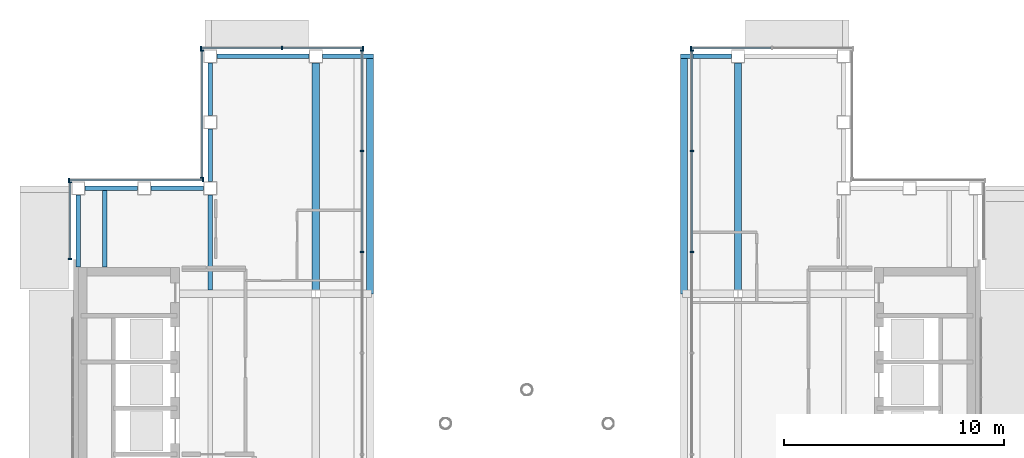
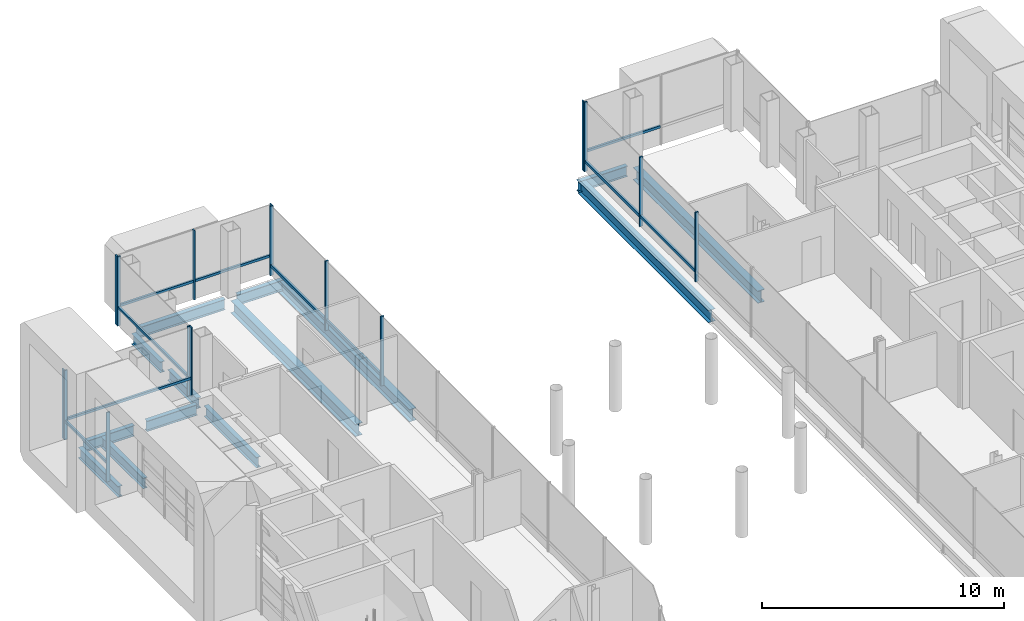
# One storey, part 7 of 21: 26 members, 14 beams, 7 elements without a shape of their own.
"""IFC4 building model written with IfcOpenShell, lengths in metres."""

from ifc_helpers import new_model, si_unit, direction, frame, origin, origin_2d, place, context, subcontext, project, spatial, rectangle, i_section, extrude, material, material_profile, profile_set, type_object, element, aggregate, save


model = new_model("IFC4")

# Units and contexts
model_context = context("Model", 3, precision=1e-05, world=origin(), true_north=direction((0.0, 1.0)))
body_context = subcontext(model_context, "Body", "Model", "MODEL_VIEW")
ifc_project = project(units=[si_unit("LENGTHUNIT", "METRE"), si_unit("AREAUNIT", "SQUARE_METRE"), si_unit("VOLUMEUNIT", "CUBIC_METRE"), si_unit("PLANEANGLEUNIT", "RADIAN"), si_unit("MASSUNIT", "GRAM", prefix="KILO")], contexts=[model_context])

# Site, building, storey
site_placement = place(None, origin())
site = spatial("IfcSite", under=ifc_project, at=site_placement, CompositionType="ELEMENT")
building_placement = place(site_placement, origin())
building = spatial("IfcBuilding", under=site, at=building_placement, Name="Cobrizo Arcos Hotel Tower", CompositionType="ELEMENT")
storey_placement = place(building_placement, frame((0.0, 0.0, 269.0)))
storey = spatial("IfcBuildingStorey", under=building, at=storey_placement, Name="L71", CompositionType="ELEMENT", Elevation=269.0)

# Curtain wall, member
ifc_material_1 = material(Name="Aluminium 6063-T6 anodised bronze", Category="aluminium")
curtain_wall_type_1 = type_object("IfcCurtainWallType", Name="CW-A guest facade", PredefinedType="NOTDEFINED", material=ifc_material_1)
curtain_wall_1_placement = place(storey_placement, origin())
curtain_wall_1 = element("IfcCurtainWall", 1, at=curtain_wall_1_placement, inside=storey, type_object=curtain_wall_type_1, Name="CW-A L71 N face", PredefinedType="NOTDEFINED")
ifc_material_profile_1 = material_profile(ifc_material_1, rectangle(XDim=0.14990234375, YDim=0.06005859375, at=origin_2d()), Name="CW-A mullion 150x60")
ifc_profile_set_1 = profile_set([ifc_material_profile_1], Name="Aluminium 6063-T6 anodised bronze")
member_type_1 = type_object("IfcMemberType", Name="CW-A mullion 150x60", PredefinedType="MULLION", material=ifc_profile_set_1)
member_1_placement = place(storey_placement, frame((7.4521484375, 20.77490234375, 0.0), z_axis=(0.0, 0.0, 1.0), x_axis=(0.0, 1.0, 0.0)))
member_1 = element("IfcMember", 2, at=member_1_placement, type_object=member_type_1, Name="CW-A mullion 3", PredefinedType="MULLION", context=body_context, shape_type="SweptSolid", body=[
    extrude(rectangle(XDim=0.14990234375, YDim=0.06005859375, at=origin_2d()), origin(), (0.0, 0.0, 1.0), 3.5),
])

# Curtain wall, members
curtain_wall_2_placement = place(storey_placement, origin())
curtain_wall_2 = element("IfcCurtainWall", 3, at=curtain_wall_2_placement, inside=storey, type_object=curtain_wall_type_1, Name="CW-A L71 N face", PredefinedType="NOTDEFINED")
member_2_placement = place(storey_placement, frame((-7.4521484375, 20.77490234375, 0.0), z_axis=(0.0, 0.0, 1.0), x_axis=(0.0, 1.0, 0.0)))
member_2 = element("IfcMember", 4, at=member_2_placement, type_object=member_type_1, Name="CW-A mullion 1", PredefinedType="MULLION", context=body_context, shape_type="SweptSolid", body=[
    extrude(rectangle(XDim=0.14990234375, YDim=0.06005859375, at=origin_2d()), origin(), (0.0, 0.0, 1.0), 3.5),
])
member_3_placement = place(storey_placement, frame((-11.135986328125, 20.77490234375, 0.0), z_axis=(0.0, 0.0, 1.0), x_axis=(0.0, 1.0, 0.0)))
member_3 = element("IfcMember", 5, at=member_3_placement, type_object=member_type_1, Name="CW-A mullion 2", PredefinedType="MULLION", context=body_context, shape_type="SweptSolid", body=[
    extrude(rectangle(XDim=0.14990234375, YDim=0.06005859375, at=origin_2d()), origin(), (0.0, 0.0, 1.0), 3.5),
])
member_4_placement = place(storey_placement, frame((-14.820068359375, 20.77490234375, 0.0), z_axis=(0.0, 0.0, 1.0), x_axis=(0.0, 1.0, 0.0)))
member_4 = element("IfcMember", 6, at=member_4_placement, type_object=member_type_1, Name="CW-A mullion 3", PredefinedType="MULLION", context=body_context, shape_type="SweptSolid", body=[
    extrude(rectangle(XDim=0.14990234375, YDim=0.06005859375, at=origin_2d()), origin(), (0.0, 0.0, 1.0), 3.5),
])

curtain_wall_3_placement = place(storey_placement, origin())
curtain_wall_3 = element("IfcCurtainWall", 7, at=curtain_wall_3_placement, inside=storey, type_object=curtain_wall_type_1, Name="CW-A L71 W face", PredefinedType="NOTDEFINED")
member_5_placement = place(storey_placement, frame((-14.77490234375, 20.669921875, 0.0), z_axis=(0.0, 0.0, 1.0), x_axis=(-1.0, 0.0, 0.0)))
member_5 = element("IfcMember", 8, at=member_5_placement, type_object=member_type_1, Name="CW-A mullion 1", PredefinedType="MULLION", context=body_context, shape_type="SweptSolid", body=[
    extrude(rectangle(XDim=0.14990234375, YDim=0.06005859375, at=origin_2d()), origin(), (0.0, 0.0, 1.0), 3.5),
])
member_6_placement = place(storey_placement, frame((-14.77490234375, 14.8798828125, 0.0), z_axis=(0.0, 0.0, 1.0), x_axis=(-1.0, 0.0, 0.0)))
member_6 = element("IfcMember", 9, at=member_6_placement, type_object=member_type_1, Name="CW-A mullion 2", PredefinedType="MULLION", context=body_context, shape_type="SweptSolid", body=[
    extrude(rectangle(XDim=0.14990234375, YDim=0.06005859375, at=origin_2d()), origin(), (0.0, 0.0, 1.0), 3.5),
])

curtain_wall_4_placement = place(storey_placement, origin())
curtain_wall_4 = element("IfcCurtainWall", 10, at=curtain_wall_4_placement, inside=storey, type_object=curtain_wall_type_1, Name="CW-A L71 N face", PredefinedType="NOTDEFINED")
member_7_placement = place(storey_placement, frame((-14.72998046875, 14.77490234375, 0.0), z_axis=(0.0, 0.0, 1.0), x_axis=(0.0, 1.0, 0.0)))
member_7 = element("IfcMember", 11, at=member_7_placement, type_object=member_type_1, Name="CW-A mullion 1", PredefinedType="MULLION", context=body_context, shape_type="SweptSolid", body=[
    extrude(rectangle(XDim=0.14990234375, YDim=0.06005859375, at=origin_2d()), origin(), (0.0, 0.0, 1.0), 3.5),
])
member_8_placement = place(storey_placement, frame((-20.820068359375, 14.77490234375, 0.0), z_axis=(0.0, 0.0, 1.0), x_axis=(0.0, 1.0, 0.0)))
member_8 = element("IfcMember", 12, at=member_8_placement, type_object=member_type_1, Name="CW-A mullion 2", PredefinedType="MULLION", context=body_context, shape_type="SweptSolid", body=[
    extrude(rectangle(XDim=0.14990234375, YDim=0.06005859375, at=origin_2d()), origin(), (0.0, 0.0, 1.0), 3.5),
])

curtain_wall_5_placement = place(storey_placement, origin())
curtain_wall_5 = element("IfcCurtainWall", 13, at=curtain_wall_5_placement, inside=storey, type_object=curtain_wall_type_1, Name="CW-A L71 W face", PredefinedType="NOTDEFINED")
member_9_placement = place(storey_placement, frame((-20.77490234375, 14.669921875, 0.0), z_axis=(0.0, 0.0, 1.0), x_axis=(-1.0, 0.0, 0.0)))
member_9 = element("IfcMember", 14, at=member_9_placement, type_object=member_type_1, Name="CW-A mullion 1", PredefinedType="MULLION", context=body_context, shape_type="SweptSolid", body=[
    extrude(rectangle(XDim=0.14990234375, YDim=0.06005859375, at=origin_2d()), origin(), (0.0, 0.0, 1.0), 3.5),
])
member_10_placement = place(storey_placement, frame((-20.77490234375, 11.179931640625, 0.0), z_axis=(0.0, 0.0, 1.0), x_axis=(-1.0, 0.0, 0.0)))
member_10 = element("IfcMember", 15, at=member_10_placement, type_object=member_type_1, Name="CW-A mullion 2", PredefinedType="MULLION", context=body_context, shape_type="SweptSolid", body=[
    extrude(rectangle(XDim=0.14990234375, YDim=0.06005859375, at=origin_2d()), origin(), (0.0, 0.0, 1.0), 3.5),
])

# Member
ifc_material_profile_2 = material_profile(ifc_material_1, rectangle(XDim=0.10009765625, YDim=0.1201171875, at=origin_2d()), Name="CW-A transom 120x100")
ifc_profile_set_2 = profile_set([ifc_material_profile_2], Name="Aluminium 6063-T6 anodised bronze")
member_type_2 = type_object("IfcMemberType", Name="CW-A transom 120x100", PredefinedType="USERDEFINED", material=ifc_profile_set_2)
member_11_placement = place(storey_placement, frame((11.10595703125, 20.77490234375, 0.929931640625), z_axis=(-1.0, 0.0, 0.0), x_axis=(0.0, -1.0, 0.0)))
member_11 = element("IfcMember", 16, at=member_11_placement, type_object=member_type_2, Name="CW-A transom 2219", ObjectType="TRANSOM", PredefinedType="USERDEFINED", context=body_context, shape_type="SweptSolid", body=[
    extrude(rectangle(XDim=0.10009765625, YDim=0.1201171875, at=origin_2d()), origin(), (0.0, 0.0, 1.0), 3.623779296875),
])

aggregate(curtain_wall_1, [member_1, member_11])

member_12_placement = place(storey_placement, frame((-7.482177734375, 20.77490234375, 0.929931640625), z_axis=(-1.0, 0.0, 0.0), x_axis=(0.0, -1.0, 0.0)))
member_12 = element("IfcMember", 17, at=member_12_placement, type_object=member_type_2, Name="CW-A transom 2248", ObjectType="TRANSOM", PredefinedType="USERDEFINED", context=body_context, shape_type="SweptSolid", body=[
    extrude(rectangle(XDim=0.10009765625, YDim=0.1201171875, at=origin_2d()), origin(), (0.0, 0.0, 1.0), 3.623779296875),
])

member_13_placement = place(storey_placement, frame((-11.166015625, 20.77490234375, 0.929931640625), z_axis=(-1.0, 0.0, 0.0), x_axis=(0.0, -1.0, 0.0)))
member_13 = element("IfcMember", 18, at=member_13_placement, type_object=member_type_2, Name="CW-A transom 2249", ObjectType="TRANSOM", PredefinedType="USERDEFINED", context=body_context, shape_type="SweptSolid", body=[
    extrude(rectangle(XDim=0.10009765625, YDim=0.1201171875, at=origin_2d()), origin(), (0.0, 0.0, 1.0), 3.6240234375),
])

aggregate(curtain_wall_2, [member_2, member_3, member_4, member_12, member_13])

member_14_placement = place(storey_placement, frame((-14.77490234375, 20.639892578125, 0.929931640625), z_axis=(0.0, -1.0, 0.0), x_axis=(1.0, 0.0, 0.0)))
member_14 = element("IfcMember", 19, at=member_14_placement, type_object=member_type_2, Name="CW-A transom 2250", ObjectType="TRANSOM", PredefinedType="USERDEFINED", context=body_context, shape_type="SweptSolid", body=[
    extrude(rectangle(XDim=0.10009765625, YDim=0.1201171875, at=origin_2d()), origin(), (0.0, 0.0, 1.0), 5.72998046875),
])

aggregate(curtain_wall_3, [member_5, member_6, member_14])

member_15_placement = place(storey_placement, frame((-14.760009765625, 14.77490234375, 0.929931640625), z_axis=(-1.0, 0.0, 0.0), x_axis=(0.0, -1.0, 0.0)))
member_15 = element("IfcMember", 20, at=member_15_placement, type_object=member_type_2, Name="CW-A transom 2251", ObjectType="TRANSOM", PredefinedType="USERDEFINED", context=body_context, shape_type="SweptSolid", body=[
    extrude(rectangle(XDim=0.10009765625, YDim=0.1201171875, at=origin_2d()), origin(), (0.0, 0.0, 1.0), 6.030029296875),
])

aggregate(curtain_wall_4, [member_7, member_8, member_15])

member_16_placement = place(storey_placement, frame((-20.77490234375, 14.639892578125, 0.929931640625), z_axis=(0.0, -1.0, 0.0), x_axis=(1.0, 0.0, 0.0)))
member_16 = element("IfcMember", 21, at=member_16_placement, type_object=member_type_2, Name="CW-A transom 2252", ObjectType="TRANSOM", PredefinedType="USERDEFINED", context=body_context, shape_type="SweptSolid", body=[
    extrude(rectangle(XDim=0.10009765625, YDim=0.1201171875, at=origin_2d()), origin(), (0.0, 0.0, 1.0), 3.429931640625),
])

aggregate(curtain_wall_5, [member_9, member_10, member_16])

# Curtain wall, members
curtain_wall_type_2 = type_object("IfcCurtainWallType", Name="CW-C arch infill and crown glazing", PredefinedType="NOTDEFINED", material=ifc_material_1)
curtain_wall_6_placement = place(storey_placement, origin())
curtain_wall_6 = element("IfcCurtainWall", 22, at=curtain_wall_6_placement, inside=storey, type_object=curtain_wall_type_2, Name="CW-C L71 W face", PredefinedType="NOTDEFINED")
ifc_material_profile_3 = material_profile(ifc_material_1, rectangle(XDim=0.14990234375, YDim=0.070068359375, at=origin_2d()), Name="CW-C mullion 150x70")
ifc_profile_set_3 = profile_set([ifc_material_profile_3], Name="Aluminium 6063-T6 anodised bronze")
member_type_3 = type_object("IfcMemberType", Name="CW-C mullion 150x70", PredefinedType="MULLION", material=ifc_profile_set_3)
member_17_placement = place(storey_placement, frame((7.4970703125, 20.6650390625, 0.0), z_axis=(0.0, 0.0, 1.0), x_axis=(-1.0, 0.0, 0.0)))
member_17 = element("IfcMember", 23, at=member_17_placement, type_object=member_type_3, Name="CW-C mullion 1", PredefinedType="MULLION", context=body_context, shape_type="SweptSolid", body=[
    extrude(rectangle(XDim=0.14990234375, YDim=0.070068359375, at=origin_2d()), origin(), (0.0, 0.0, 1.0), 3.5),
])
member_18_placement = place(storey_placement, frame((7.4970703125, 16.10009765625, 0.0), z_axis=(0.0, 0.0, 1.0), x_axis=(-1.0, 0.0, 0.0)))
member_18 = element("IfcMember", 24, at=member_18_placement, type_object=member_type_3, Name="CW-C mullion 2", PredefinedType="MULLION", context=body_context, shape_type="SweptSolid", body=[
    extrude(rectangle(XDim=0.14990234375, YDim=0.070068359375, at=origin_2d()), origin(), (0.0, 0.0, 1.0), 3.5),
])
member_19_placement = place(storey_placement, frame((7.4970703125, 11.5, 0.0), z_axis=(0.0, 0.0, 1.0), x_axis=(-1.0, 0.0, 0.0)))
member_19 = element("IfcMember", 25, at=member_19_placement, type_object=member_type_3, Name="CW-C mullion 3", PredefinedType="MULLION", context=body_context, shape_type="SweptSolid", body=[
    extrude(rectangle(XDim=0.14990234375, YDim=0.070068359375, at=origin_2d()), origin(), (0.0, 0.0, 1.0), 3.5),
])

curtain_wall_7_placement = place(storey_placement, origin())
curtain_wall_7 = element("IfcCurtainWall", 26, at=curtain_wall_7_placement, inside=storey, type_object=curtain_wall_type_2, Name="CW-C L71 E face", PredefinedType="NOTDEFINED")
member_20_placement = place(storey_placement, frame((-7.4970703125, 11.5, 0.0), z_axis=(0.0, 0.0, 1.0), x_axis=(1.0, 0.0, 0.0)))
member_20 = element("IfcMember", 27, at=member_20_placement, type_object=member_type_3, Name="CW-C mullion 8", PredefinedType="MULLION", context=body_context, shape_type="SweptSolid", body=[
    extrude(rectangle(XDim=0.14990234375, YDim=0.070068359375, at=origin_2d()), origin(), (0.0, 0.0, 1.0), 3.5),
])
member_21_placement = place(storey_placement, frame((-7.4970703125, 16.10009765625, 0.0), z_axis=(0.0, 0.0, 1.0), x_axis=(1.0, 0.0, 0.0)))
member_21 = element("IfcMember", 28, at=member_21_placement, type_object=member_type_3, Name="CW-C mullion 9", PredefinedType="MULLION", context=body_context, shape_type="SweptSolid", body=[
    extrude(rectangle(XDim=0.14990234375, YDim=0.070068359375, at=origin_2d()), origin(), (0.0, 0.0, 1.0), 3.5),
])
member_22_placement = place(storey_placement, frame((-7.4970703125, 20.6650390625, 0.0), z_axis=(0.0, 0.0, 1.0), x_axis=(1.0, 0.0, 0.0)))
member_22 = element("IfcMember", 29, at=member_22_placement, type_object=member_type_3, Name="CW-C mullion 10", PredefinedType="MULLION", context=body_context, shape_type="SweptSolid", body=[
    extrude(rectangle(XDim=0.14990234375, YDim=0.070068359375, at=origin_2d()), origin(), (0.0, 0.0, 1.0), 3.5),
])

# Member
ifc_material_profile_4 = material_profile(ifc_material_1, rectangle(XDim=0.10009765625, YDim=0.139892578125, at=origin_2d()), Name="CW-C transom 140x100")
ifc_profile_set_4 = profile_set([ifc_material_profile_4], Name="Aluminium 6063-T6 anodised bronze")
member_type_4 = type_object("IfcMemberType", Name="CW-C transom 140x100", PredefinedType="USERDEFINED", material=ifc_profile_set_4)
member_23_placement = place(storey_placement, frame((7.4970703125, 20.6298828125, 0.5), z_axis=(0.0, -1.0, 0.0), x_axis=(1.0, 0.0, 0.0)))
member_23 = element("IfcMember", 30, at=member_23_placement, type_object=member_type_4, Name="CW-C transom 2220", ObjectType="TRANSOM", PredefinedType="USERDEFINED", context=body_context, shape_type="SweptSolid", body=[
    extrude(rectangle(XDim=0.10009765625, YDim=0.139892578125, at=origin_2d()), origin(), (0.0, 0.0, 1.0), 4.494873046875),
])

member_24_placement = place(storey_placement, frame((7.4970703125, 16.06494140625, 0.5), z_axis=(0.0, -1.0, 0.0), x_axis=(1.0, 0.0, 0.0)))
member_24 = element("IfcMember", 31, at=member_24_placement, type_object=member_type_4, Name="CW-C transom 2221", ObjectType="TRANSOM", PredefinedType="USERDEFINED", context=body_context, shape_type="SweptSolid", body=[
    extrude(rectangle(XDim=0.10009765625, YDim=0.139892578125, at=origin_2d()), origin(), (0.0, 0.0, 1.0), 4.530029296875),
])

aggregate(curtain_wall_6, [member_17, member_18, member_19, member_23, member_24])

member_25_placement = place(storey_placement, frame((-7.4970703125, 11.534912109375, 0.5), z_axis=(0.0, 1.0, 0.0), x_axis=(-1.0, 0.0, 0.0)))
member_25 = element("IfcMember", 32, at=member_25_placement, type_object=member_type_4, Name="CW-C transom 2246", ObjectType="TRANSOM", PredefinedType="USERDEFINED", context=body_context, shape_type="SweptSolid", body=[
    extrude(rectangle(XDim=0.10009765625, YDim=0.139892578125, at=origin_2d()), origin(), (0.0, 0.0, 1.0), 4.530029296875),
])

member_26_placement = place(storey_placement, frame((-7.4970703125, 16.135009765625, 0.5), z_axis=(0.0, 1.0, 0.0), x_axis=(-1.0, 0.0, 0.0)))
member_26 = element("IfcMember", 33, at=member_26_placement, type_object=member_type_4, Name="CW-C transom 2247", ObjectType="TRANSOM", PredefinedType="USERDEFINED", context=body_context, shape_type="SweptSolid", body=[
    extrude(rectangle(XDim=0.10009765625, YDim=0.139892578125, at=origin_2d()), origin(), (0.0, 0.0, 1.0), 4.494873046875),
])

aggregate(curtain_wall_7, [member_20, member_21, member_22, member_25, member_26])

# Beams
ifc_material_2 = material(Name="Steel ASTM A992 Grade 50", Category="steel")
ifc_material_profile_5 = material_profile(ifc_material_2, i_section(OverallWidth=0.209228515625, OverallDepth=0.533447265625, WebThickness=0.01025390625, FlangeThickness=0.015625, at=origin_2d()), Name="W21X62")
ifc_profile_set_5 = profile_set([ifc_material_profile_5], Name="Steel ASTM A992 Grade 50")
beam_type_1 = type_object("IfcBeamType", Name="W21X62 joist", PredefinedType="JOIST", material=ifc_profile_set_5)
beam_1_placement = place(storey_placement, frame((-19.199951171875, 10.81005859375, -0.416748046875), z_axis=(0.0, 1.0, 0.0), x_axis=(-1.0, 0.0, 0.0)))
element("IfcBeam", 34, at=beam_1_placement, inside=storey, type_object=beam_type_1, Name="Floor joist J1, L71, no. 002", PredefinedType="JOIST", context=body_context, shape_type="SweptSolid", body=[
    extrude(i_section(OverallWidth=0.209228515625, OverallDepth=0.533447265625, WebThickness=0.01025390625, FlangeThickness=0.015625, at=origin_2d()), origin(), (0.0, 0.0, 1.0), 3.5),
])
beam_2_placement = place(storey_placement, frame((-14.39990234375, 9.763916015625, -0.416748046875), z_axis=(0.0, 1.0, 0.0), x_axis=(-1.0, 0.0, 0.0)))
element("IfcBeam", 35, at=beam_2_placement, inside=storey, type_object=beam_type_1, Name="Floor joist J1, L71, no. 006", PredefinedType="JOIST", context=body_context, shape_type="SweptSolid", body=[
    extrude(i_section(OverallWidth=0.209228515625, OverallDepth=0.533447265625, WebThickness=0.01025390625, FlangeThickness=0.015625, at=origin_2d()), origin(), (0.0, 0.0, 1.0), 4.336181640625),
])
ifc_material_profile_6 = material_profile(ifc_material_2, i_section(OverallWidth=0.209228515625, OverallDepth=0.533447265625, WebThickness=0.01025390625, FlangeThickness=0.015625, at=origin_2d()), Name="W21X62")
ifc_profile_set_6 = profile_set([ifc_material_profile_6], Name="Steel ASTM A992 Grade 50")
beam_type_2 = type_object("IfcBeamType", Name="W21X62 spandrel", PredefinedType="SPANDREL", material=ifc_profile_set_6)
beam_3_placement = place(storey_placement, frame((-20.39990234375, 10.81005859375, -0.416748046875), z_axis=(0.0, 1.0, 0.0), x_axis=(-1.0, 0.0, 0.0)))
element("IfcBeam", 36, at=beam_3_placement, inside=storey, type_object=beam_type_2, Name="Spandrel beam W21X62, L71, no. 002", PredefinedType="SPANDREL", context=body_context, shape_type="SweptSolid", body=[
    extrude(i_section(OverallWidth=0.209228515625, OverallDepth=0.533447265625, WebThickness=0.01025390625, FlangeThickness=0.015625, at=origin_2d()), origin(), (0.0, 0.0, 1.0), 3.2900390625),
])
for number, where, z_axis, x_axis, name in (
    (37, (-20.10009765625, 14.39990234375, -0.416748046875), (1.0, 0.0, 0.0), (0.0, 1.0, 0.0), "Spandrel beam W21X62, L71, no. 003"),
    (38, (-17.10009765625, 14.39990234375, -0.416748046875), (1.0, 0.0, 0.0), (0.0, 1.0, 0.0), "Spandrel beam W21X62, L71, no. 004"),
    (39, (-14.39990234375, 14.699951171875, -0.416748046875), (0.0, 1.0, 0.0), (-1.0, 0.0, 0.0), "Spandrel beam W21X62, L71, no. 005"),
    (40, (-14.39990234375, 17.699951171875, -0.416748046875), (0.0, 1.0, 0.0), (-1.0, 0.0, 0.0), "Spandrel beam W21X62, L71, no. 006"),
):
    element("IfcBeam", number, at=place(storey_placement, frame(where, z_axis=z_axis, x_axis=x_axis)), inside=storey, type_object=beam_type_2, Name=name, PredefinedType="SPANDREL", context=body_context, shape_type="SweptSolid", body=[
        extrude(i_section(OverallWidth=0.209228515625, OverallDepth=0.533447265625, WebThickness=0.01025390625, FlangeThickness=0.015625, at=origin_2d()), origin(), (0.0, 0.0, 1.0), 2.400146484375),
    ])
beam_4_placement = place(storey_placement, frame((-14.10009765625, 20.39990234375, -0.416748046875), z_axis=(1.0, 0.0, 0.0), x_axis=(0.0, 1.0, 0.0)))
element("IfcBeam", 41, at=beam_4_placement, inside=storey, type_object=beam_type_2, Name="Spandrel beam W21X62, L71, no. 007", PredefinedType="SPANDREL", context=body_context, shape_type="SweptSolid", body=[
    extrude(i_section(OverallWidth=0.209228515625, OverallDepth=0.533447265625, WebThickness=0.01025390625, FlangeThickness=0.015625, at=origin_2d()), origin(), (0.0, 0.0, 1.0), 4.2001953125),
])
for number, where, z_axis, x_axis, name in (
    (42, (-9.300048828125, 20.39990234375, -0.416748046875), (1.0, 0.0, 0.0), (0.0, 1.0, 0.0), "Spandrel beam W21X62, L71, no. 008"),
    (43, (6.97412109375, 20.39990234375, -0.416748046875), (1.0, 0.0, 0.0), (0.0, 1.0, 0.0), "Spandrel beam W21X62, L71, no. 015"),
):
    element("IfcBeam", number, at=place(storey_placement, frame(where, z_axis=z_axis, x_axis=x_axis)), inside=storey, type_object=beam_type_2, Name=name, PredefinedType="SPANDREL", context=body_context, shape_type="SweptSolid", body=[
        extrude(i_section(OverallWidth=0.209228515625, OverallDepth=0.533447265625, WebThickness=0.01025390625, FlangeThickness=0.015625, at=origin_2d()), origin(), (0.0, 0.0, 1.0), 2.325927734375),
    ])
ifc_material_profile_7 = material_profile(ifc_material_2, i_section(OverallWidth=0.32763671875, OverallDepth=0.622314453125, WebThickness=0.015380859375, FlangeThickness=0.0244140625, at=origin_2d()), Name="W24X131")
ifc_profile_set_7 = profile_set([ifc_material_profile_7], Name="Steel ASTM A992 Grade 50")
beam_type_3 = type_object("IfcBeamType", Name="W24X131 edge beam", PredefinedType="BEAM", material=ifc_profile_set_7)
for number, where, z_axis, x_axis, name in (
    (44, (-7.137939453125, 20.39990234375, -0.461181640625), (0.0, -1.0, 0.0), (1.0, 0.0, 0.0), "Edge beam EB1, L71, no. 001"),
    (45, (7.137939453125, 9.60009765625, -0.461181640625), (0.0, 1.0, 0.0), (-1.0, 0.0, 0.0), "Edge beam EB1, L71, no. 008"),
):
    element("IfcBeam", number, at=place(storey_placement, frame(where, z_axis=z_axis, x_axis=x_axis)), inside=storey, type_object=beam_type_3, Name=name, PredefinedType="BEAM", context=body_context, shape_type="SweptSolid", body=[
        extrude(i_section(OverallWidth=0.32763671875, OverallDepth=0.622314453125, WebThickness=0.015380859375, FlangeThickness=0.0244140625, at=origin_2d()), origin(), (0.0, 0.0, 1.0), 10.7998046875),
    ])
ifc_material_profile_8 = material_profile(ifc_material_2, i_section(OverallWidth=0.32763671875, OverallDepth=0.622314453125, WebThickness=0.015380859375, FlangeThickness=0.0244140625, at=origin_2d()), Name="W24X131")
ifc_profile_set_8 = profile_set([ifc_material_profile_8], Name="Steel ASTM A992 Grade 50")
beam_type_4 = type_object("IfcBeamType", Name="W24X131 girder", PredefinedType="BEAM", material=ifc_profile_set_8)
for number, where, z_axis, x_axis, name in (
    (46, (-9.60009765625, 9.7841796875, -0.461181640625), (0.0, 1.0, 0.0), (-1.0, 0.0, 0.0), "Floor girder G1, L71, no. 016"),
    (47, (9.60009765625, 9.7841796875, -0.461181640625), (0.0, 1.0, 0.0), (-1.0, 0.0, 0.0), "Floor girder G1, L71, no. 020"),
):
    element("IfcBeam", number, at=place(storey_placement, frame(where, z_axis=z_axis, x_axis=x_axis)), inside=storey, type_object=beam_type_4, Name=name, PredefinedType="BEAM", context=body_context, shape_type="SweptSolid", body=[
        extrude(i_section(OverallWidth=0.32763671875, OverallDepth=0.622314453125, WebThickness=0.015380859375, FlangeThickness=0.0244140625, at=origin_2d()), origin(), (0.0, 0.0, 1.0), 10.31591796875),
    ])

save(model, "model.ifc")
